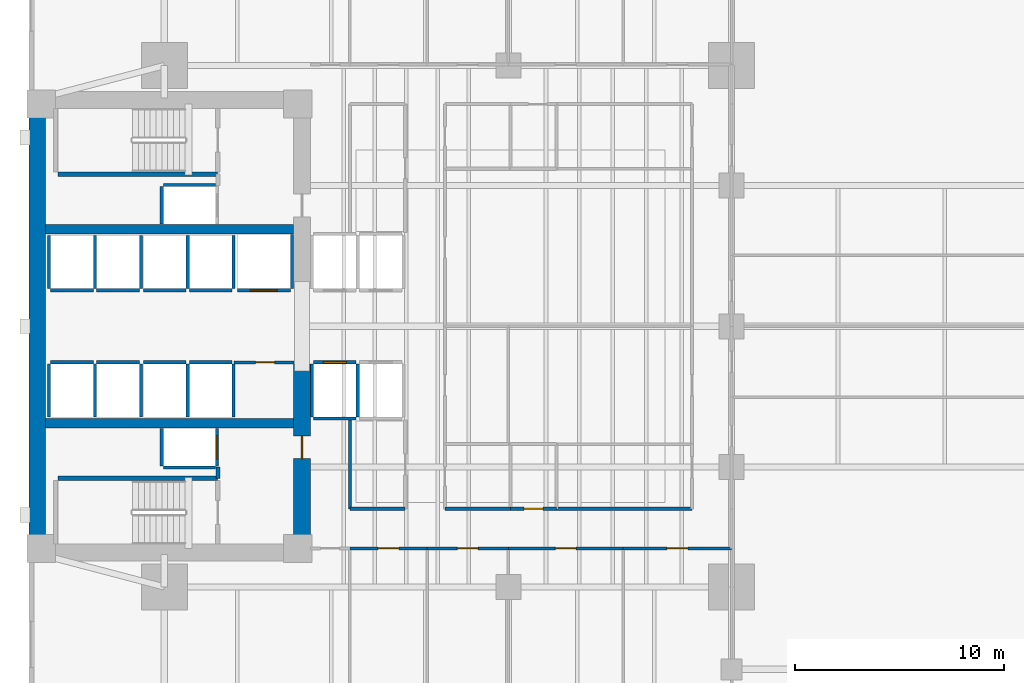
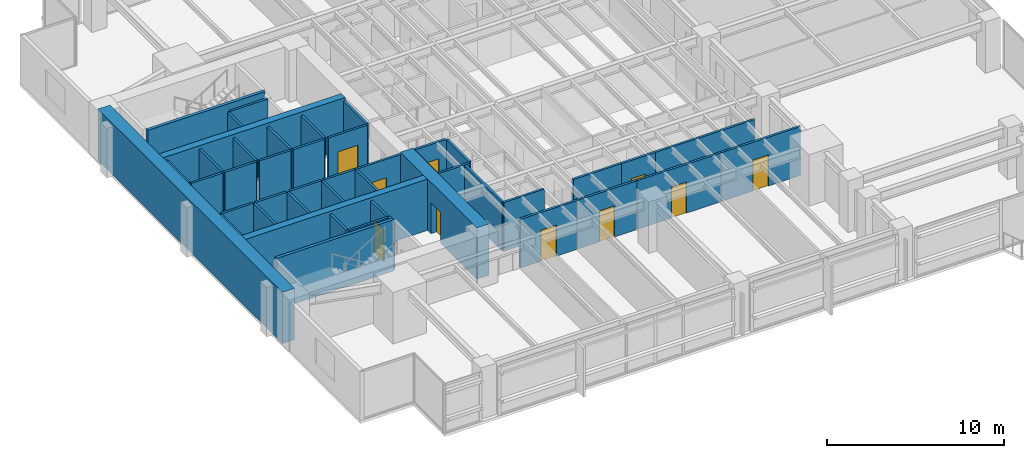
# One storey, part 8 of 15: 46 walls, 10 doors, 10 openings.
"""IFC4 building model written with IfcOpenShell, lengths in metres."""

from ifc_helpers import new_model, si_unit, direction, frame, frame_2d, origin, place, context, subcontext, project, spatial, rectangle, extrude, material, layer, layer_set, type_object, element, fill, save


model = new_model("IFC4")

# Units and contexts
model_context = context("Model", 3, precision=1e-05, world=origin(), true_north=direction((0.0, 1.0)))
body_context = subcontext(model_context, "Body", "Model", "MODEL_VIEW")
ifc_project = project(units=[si_unit("LENGTHUNIT", "METRE"), si_unit("AREAUNIT", "SQUARE_METRE"), si_unit("VOLUMEUNIT", "CUBIC_METRE"), si_unit("PLANEANGLEUNIT", "RADIAN"), si_unit("MASSUNIT", "GRAM", prefix="KILO")], contexts=[model_context])

# Site, building, storey
site_placement = place(None, origin())
site = spatial("IfcSite", under=ifc_project, at=site_placement, CompositionType="ELEMENT")
building_placement = place(site_placement, origin())
building = spatial("IfcBuilding", under=site, at=building_placement, Name="Kinhvarn Gate Tower", CompositionType="ELEMENT")
storey_placement = place(building_placement, frame((0.0, 0.0, 61.10009765625)))
storey = spatial("IfcBuildingStorey", under=building, at=storey_placement, Name="L15", CompositionType="ELEMENT", Elevation=61.10009765625)

# Walls
ifc_material_1 = material(Name="Concrete C50/60", Category="concrete")
ifc_layer_1 = layer(ifc_material_1, 0.449951171875)
ifc_layer_set_1 = layer_set([ifc_layer_1], Name="Concrete C50/60")
wall_type_1 = type_object("IfcWallType", Name="WL-CORE-450", PredefinedType="SHEAR", material=ifc_layer_set_1)
for number, where, z_axis, x_axis, name in (
    (1, (5.300048828125, 20.60009765625, 0.0), (0.0, 0.0, 1.0), (1.0, 0.0, 0.0), "Core South Spine Shear Wall L15 450 mm"),
    (2, (5.300048828125, 29.89990234375, 0.0), (0.0, 0.0, 1.0), (1.0, 0.0, 0.0), "Core North Spine Shear Wall L15 450 mm"),
):
    element("IfcWall", number, at=place(storey_placement, frame(where, z_axis=z_axis, x_axis=x_axis)), inside=storey, type_object=wall_type_1, Name=name, PredefinedType="SHEAR", context=body_context, shape_type="SweptSolid", body=[
        extrude(rectangle(XDim=11.89990234375, YDim=0.449951171875, at=frame_2d((5.949951171875, 0.0))), origin(), (0.0, 0.0, 1.0), 3.5498046875),
    ])

# Wall, opening, door
ifc_material_2 = material(Name="Concrete C70/85", Category="concrete")
ifc_layer_2 = layer(ifc_material_2, 0.800048828125)
ifc_layer_set_2 = layer_set([ifc_layer_2], Name="Concrete C70/85")
wall_type_2 = type_object("IfcWallType", Name="WL-CORE-800", PredefinedType="SHEAR", material=ifc_layer_set_2)
wall_1_placement = place(storey_placement, frame((17.60009765625, 14.800048828125, 0.0), z_axis=(0.0, 0.0, 1.0), x_axis=(0.0, 1.0, 0.0)))
wall_1 = element("IfcWall", 3, at=wall_1_placement, inside=storey, type_object=wall_type_2, Name="Core East-South Shear Pier L15 800 mm", PredefinedType="SHEAR", context=body_context, shape_type="SweptSolid", body=[
    extrude(rectangle(XDim=8.64990234375, YDim=0.800048828125, at=frame_2d((4.324951171875, 0.0))), origin(), (0.0, 0.0, 1.0), 3.5498046875),
])
opening_1_placement = place(wall_1_placement, frame((4.10009765625, 0.0, 0.0)))
opening_1 = element("IfcOpeningElement", 4, at=opening_1_placement, cuts=wall_1, Name="Opening FD-02", PredefinedType="OPENING", context=body_context, shape_type="SweptSolid", body=[
    extrude(rectangle(XDim=1.10009765625, YDim=2.14990234375, at=frame_2d((0.550048828125, 1.074951171875))), frame((0.0, 0.41015625, 0.0), z_axis=(0.0, -1.0, 0.0), x_axis=(1.0, 0.0, 0.0)), (0.0, 0.0, 1.0), 0.820068359375),
])
ifc_material_3 = material(Name="Anodised aluminium AW-6063", Category="aluminium")
door_type_1 = type_object("IfcDoorType", Name="DR-FD-1100", OperationType="NOTDEFINED", PredefinedType="DOOR", material=ifc_material_3)
door_1_placement = place(opening_1_placement, origin())
door_1 = element("IfcDoor", 5, at=door_1_placement, inside=storey, type_object=door_type_1, Name="Firefighting Lobby Core Door (L15)", OperationType="SINGLE_SWING_RIGHT", OverallHeight=2.14990234375, OverallWidth=1.10009765625, PredefinedType="DOOR", context=body_context, shape_type="SweptSolid", body=[
    extrude(rectangle(XDim=1.10009765625, YDim=2.14990234375, at=frame_2d((0.550048828125, 1.074951171875))), frame((0.0, 0.02490234375, 0.0), z_axis=(0.0, -1.0, 0.0), x_axis=(1.0, 0.0, 0.0)), (0.0, 0.0, 1.0), 0.050048828125),
])
fill(opening_1, door_1)

# Walls
ifc_layer_3 = layer(ifc_material_2, 0.800048828125)
ifc_layer_set_3 = layer_set([ifc_layer_3], Name="Concrete C70/85")
wall_type_3 = type_object("IfcWallType", Name="WL-COREX-800", PredefinedType="SHEAR", material=ifc_layer_set_3)
wall_2_placement = place(storey_placement, frame((4.89990234375, 14.800048828125, 0.0), z_axis=(0.0, 0.0, 1.0), x_axis=(0.0, 1.0, 0.0)))
element("IfcWall", 6, at=wall_2_placement, inside=storey, type_object=wall_type_3, Name="Core West Shear Wall L15 800 mm", PredefinedType="SHEAR", context=body_context, shape_type="SweptSolid", body=[
    extrude(rectangle(XDim=20.89990234375, YDim=0.800048828125, at=frame_2d((10.449951171875, 0.0))), origin(), (0.0, 0.0, 1.0), 3.5498046875),
])
ifc_material_4 = material(Name="Gypsum acoustic partition board")
ifc_layer_4 = layer(ifc_material_4, 0.14990234375)
ifc_layer_set_4 = layer_set([ifc_layer_4], Name="Gypsum acoustic partition board")
wall_type_4 = type_object("IfcWallType", Name="WL-PLM-150F", PredefinedType="PLUMBINGWALL", material=ifc_layer_set_4)
wall_3_placement = place(storey_placement, frame((24.449951171875, 16.5, 0.0), z_axis=(0.0, 0.0, 1.0), x_axis=(1.0, 0.0, 0.0)))
element("IfcWall", 7, at=wall_3_placement, inside=storey, type_object=wall_type_4, Name="Interior Partition PLW-150F (L15)", PredefinedType="PLUMBINGWALL", context=body_context, shape_type="SweptSolid", body=[
    extrude(rectangle(XDim=3.150146484375, YDim=0.14990234375, at=frame_2d((1.5751953125, 0.0))), origin(), (0.0, 0.0, 1.0), 3.369873046875),
])

# Wall, opening, door
wall_4_placement = place(storey_placement, frame((27.60009765625, 16.5, 0.0), z_axis=(0.0, 0.0, 1.0), x_axis=(1.0, 0.0, 0.0)))
wall_4 = element("IfcWall", 8, at=wall_4_placement, inside=storey, type_object=wall_type_4, Name="Interior Partition PLW-150F (L15)", PredefinedType="PLUMBINGWALL", context=body_context, shape_type="SweptSolid", body=[
    extrude(rectangle(XDim=2.199951171875, YDim=0.14990234375, at=frame_2d((1.10009765625, 0.0))), origin(), (0.0, 0.0, 1.0), 3.369873046875),
])
opening_2_placement = place(wall_4_placement, frame((0.64990234375, 0.0, 0.0)))
opening_2 = element("IfcOpeningElement", 9, at=opening_2_placement, cuts=wall_4, Name="Opening FD-04", PredefinedType="OPENING", context=body_context, shape_type="SweptSolid", body=[
    extrude(rectangle(XDim=0.89990234375, YDim=2.10009765625, at=frame_2d((0.449951171875, 1.050048828125))), frame((0.0, 0.0849609375, 0.0), z_axis=(0.0, -1.0, 0.0), x_axis=(1.0, 0.0, 0.0)), (0.0, 0.0, 1.0), 0.169921875),
])
door_type_2 = type_object("IfcDoorType", Name="DR-FD-900", OperationType="NOTDEFINED", PredefinedType="DOOR", material=ifc_material_3)
door_2_placement = place(opening_2_placement, origin())
door_2 = element("IfcDoor", 10, at=door_2_placement, inside=storey, type_object=door_type_2, Name="Rated Riser & Service Closet Fire Door 900x2100 mm (L15)", OperationType="SINGLE_SWING_LEFT", OverallHeight=2.10009765625, OverallWidth=0.89990234375, PredefinedType="DOOR", context=body_context, shape_type="SweptSolid", body=[
    extrude(rectangle(XDim=0.89990234375, YDim=2.10009765625, at=frame_2d((0.449951171875, 1.050048828125))), frame((0.0, 0.02490234375, 0.0), z_axis=(0.0, -1.0, 0.0), x_axis=(1.0, 0.0, 0.0)), (0.0, 0.0, 1.0), 0.050048828125),
])
fill(opening_2, door_2)

ifc_layer_5 = layer(ifc_material_4, 0.14990234375)
ifc_layer_set_5 = layer_set([ifc_layer_5], Name="Gypsum acoustic partition board")
wall_type_5 = type_object("IfcWallType", Name="WL-PRT-150F", PredefinedType="PARTITIONING", material=ifc_layer_set_5)
wall_5_placement = place(storey_placement, frame((14.330078125, 23.52001953125, 0.0), z_axis=(0.0, 0.0, 1.0), x_axis=(1.0, 0.0, 0.0)))
wall_5 = element("IfcWall", 11, at=wall_5_placement, inside=storey, type_object=wall_type_5, Name="Interior Partition PW-150F (L15)", PredefinedType="PARTITIONING", context=body_context, shape_type="SweptSolid", body=[
    extrude(rectangle(XDim=2.889892578125, YDim=0.14990234375, at=frame_2d((1.44482421875, 0.0))), origin(), (0.0, 0.0, 1.0), 3.369873046875),
])
opening_3_placement = place(wall_5_placement, frame((1.052734375, 0.0, 0.0)))
opening_3 = element("IfcOpeningElement", 12, at=opening_3_placement, cuts=wall_5, Name="Opening FD-04", PredefinedType="OPENING", context=body_context, shape_type="SweptSolid", body=[
    extrude(rectangle(XDim=0.89990234375, YDim=2.10009765625, at=frame_2d((0.449951171875, 1.050048828125))), frame((0.0, 0.0849609375, 0.0), z_axis=(0.0, -1.0, 0.0), x_axis=(1.0, 0.0, 0.0)), (0.0, 0.0, 1.0), 0.169921875),
])
door_3_placement = place(opening_3_placement, origin())
door_3 = element("IfcDoor", 13, at=door_3_placement, inside=storey, type_object=door_type_2, Name="Rated Riser & Service Closet Fire Door 900x2100 mm (L15)", OperationType="SINGLE_SWING_RIGHT", OverallHeight=2.10009765625, OverallWidth=0.89990234375, PredefinedType="DOOR", context=body_context, shape_type="SweptSolid", body=[
    extrude(rectangle(XDim=0.89990234375, YDim=2.10009765625, at=frame_2d((0.449951171875, 1.050048828125))), frame((0.0, 0.02490234375, 0.0), z_axis=(0.0, -1.0, 0.0), x_axis=(1.0, 0.0, 0.0)), (0.0, 0.0, 1.0), 0.050048828125),
])
fill(opening_3, door_3)

# Walls
wall_6_placement = place(storey_placement, frame((19.89990234375, 16.5, 0.0), z_axis=(0.0, 0.0, 1.0), x_axis=(0.0, 1.0, 0.0)))
element("IfcWall", 14, at=wall_6_placement, inside=storey, type_object=wall_type_5, Name="Interior Partition PW-150F (L15)", PredefinedType="PARTITIONING", context=body_context, shape_type="SweptSolid", body=[
    extrude(rectangle(XDim=4.25, YDim=0.14990234375, at=frame_2d((2.125, 0.0))), origin(), (0.0, 0.0, 1.0), 3.369873046875),
])
wall_7_placement = place(storey_placement, frame((19.89990234375, 16.5, 0.0), z_axis=(0.0, 0.0, 1.0), x_axis=(1.0, 0.0, 0.0)))
element("IfcWall", 15, at=wall_7_placement, inside=storey, type_object=wall_type_5, Name="Interior Partition PW-150F (L15)", PredefinedType="PARTITIONING", context=body_context, shape_type="SweptSolid", body=[
    extrude(rectangle(XDim=2.650146484375, YDim=0.14990234375, at=frame_2d((1.3251953125, 0.0))), origin(), (0.0, 0.0, 1.0), 3.369873046875),
])
wall_8_placement = place(storey_placement, frame((29.800048828125, 16.5, 0.0), z_axis=(0.0, 0.0, 1.0), x_axis=(1.0, 0.0, 0.0)))
element("IfcWall", 16, at=wall_8_placement, inside=storey, type_object=wall_type_5, Name="Interior Partition PW-150F (L15)", PredefinedType="PARTITIONING", context=body_context, shape_type="SweptSolid", body=[
    extrude(rectangle(XDim=6.5, YDim=0.14990234375, at=frame_2d((3.25, 0.0))), origin(), (0.0, 0.0, 1.0), 3.369873046875),
])

# Wall, opening, door
wall_9_placement = place(storey_placement, frame((19.89990234375, 14.60009765625, 0.0), z_axis=(0.0, 0.0, 1.0), x_axis=(1.0, 0.0, 0.0)))
wall_9 = element("IfcWall", 17, at=wall_9_placement, inside=storey, type_object=wall_type_5, Name="Interior Partition PW-150F (L15)", PredefinedType="PARTITIONING", context=body_context, shape_type="SweptSolid", body=[
    extrude(rectangle(XDim=3.7001953125, YDim=0.14990234375, at=frame_2d((1.85009765625, 0.0))), origin(), (0.0, 0.0, 1.0), 3.369873046875),
])
opening_4_placement = place(wall_9_placement, frame((1.35009765625, 0.0, 0.0)))
opening_4 = element("IfcOpeningElement", 18, at=opening_4_placement, cuts=wall_9, Name="Opening ID-02", PredefinedType="OPENING", context=body_context, shape_type="SweptSolid", body=[
    extrude(rectangle(XDim=1.0, YDim=2.14990234375, at=frame_2d((0.5, 1.074951171875))), frame((0.0, 0.0849609375, 0.0), z_axis=(0.0, -1.0, 0.0), x_axis=(1.0, 0.0, 0.0)), (0.0, 0.0, 1.0), 0.169921875),
])
door_type_3 = type_object("IfcDoorType", Name="DR-INT-1000", OperationType="NOTDEFINED", PredefinedType="DOOR", material=ifc_material_3)
door_4_placement = place(opening_4_placement, origin())
door_4 = element("IfcDoor", 19, at=door_4_placement, inside=storey, type_object=door_type_3, Name="Standard Office & Meeting Room Door 1000x2150 mm (L15)", OperationType="SINGLE_SWING_LEFT", OverallHeight=2.14990234375, OverallWidth=1.0, PredefinedType="DOOR", context=body_context, shape_type="SweptSolid", body=[
    extrude(rectangle(XDim=1.0, YDim=2.14990234375, at=frame_2d((0.5, 1.074951171875))), frame((0.0, 0.02490234375, 0.0), z_axis=(0.0, -1.0, 0.0), x_axis=(1.0, 0.0, 0.0)), (0.0, 0.0, 1.0), 0.050048828125),
])
fill(opening_4, door_4)

wall_10_placement = place(storey_placement, frame((23.60009765625, 14.60009765625, 0.0), z_axis=(0.0, 0.0, 1.0), x_axis=(1.0, 0.0, 0.0)))
wall_10 = element("IfcWall", 20, at=wall_10_placement, inside=storey, type_object=wall_type_5, Name="Interior Partition PW-150F (L15)", PredefinedType="PARTITIONING", context=body_context, shape_type="SweptSolid", body=[
    extrude(rectangle(XDim=3.89990234375, YDim=0.14990234375, at=frame_2d((1.949951171875, 0.0))), origin(), (0.0, 0.0, 1.0), 3.369873046875),
])
opening_5_placement = place(wall_10_placement, frame((1.449951171875, 0.0, 0.0)))
opening_5 = element("IfcOpeningElement", 21, at=opening_5_placement, cuts=wall_10, Name="Opening ID-02", PredefinedType="OPENING", context=body_context, shape_type="SweptSolid", body=[
    extrude(rectangle(XDim=1.0, YDim=2.14990234375, at=frame_2d((0.5, 1.074951171875))), frame((0.0, 0.0849609375, 0.0), z_axis=(0.0, -1.0, 0.0), x_axis=(1.0, 0.0, 0.0)), (0.0, 0.0, 1.0), 0.169921875),
])
door_5_placement = place(opening_5_placement, origin())
door_5 = element("IfcDoor", 22, at=door_5_placement, inside=storey, type_object=door_type_3, Name="Standard Office & Meeting Room Door 1000x2150 mm (L15)", OperationType="SINGLE_SWING_RIGHT", OverallHeight=2.14990234375, OverallWidth=1.0, PredefinedType="DOOR", context=body_context, shape_type="SweptSolid", body=[
    extrude(rectangle(XDim=1.0, YDim=2.14990234375, at=frame_2d((0.5, 1.074951171875))), frame((0.0, 0.02490234375, 0.0), z_axis=(0.0, -1.0, 0.0), x_axis=(1.0, 0.0, 0.0)), (0.0, 0.0, 1.0), 0.050048828125),
])
fill(opening_5, door_5)

wall_11_placement = place(storey_placement, frame((27.5, 14.60009765625, 0.0), z_axis=(0.0, 0.0, 1.0), x_axis=(1.0, 0.0, 0.0)))
wall_11 = element("IfcWall", 23, at=wall_11_placement, inside=storey, type_object=wall_type_5, Name="Interior Partition PW-150F (L15)", PredefinedType="PARTITIONING", context=body_context, shape_type="SweptSolid", body=[
    extrude(rectangle(XDim=5.5, YDim=0.14990234375, at=frame_2d((2.75, 0.0))), origin(), (0.0, 0.0, 1.0), 3.369873046875),
])
opening_6_placement = place(wall_11_placement, frame((2.25, 0.0, 0.0)))
opening_6 = element("IfcOpeningElement", 24, at=opening_6_placement, cuts=wall_11, Name="Opening ID-02", PredefinedType="OPENING", context=body_context, shape_type="SweptSolid", body=[
    extrude(rectangle(XDim=1.0, YDim=2.14990234375, at=frame_2d((0.5, 1.074951171875))), frame((0.0, 0.0849609375, 0.0), z_axis=(0.0, -1.0, 0.0), x_axis=(1.0, 0.0, 0.0)), (0.0, 0.0, 1.0), 0.169921875),
])
door_6_placement = place(opening_6_placement, origin())
door_6 = element("IfcDoor", 25, at=door_6_placement, inside=storey, type_object=door_type_3, Name="Standard Office & Meeting Room Door 1000x2150 mm (L15)", OperationType="SINGLE_SWING_LEFT", OverallHeight=2.14990234375, OverallWidth=1.0, PredefinedType="DOOR", context=body_context, shape_type="SweptSolid", body=[
    extrude(rectangle(XDim=1.0, YDim=2.14990234375, at=frame_2d((0.5, 1.074951171875))), frame((0.0, 0.02490234375, 0.0), z_axis=(0.0, -1.0, 0.0), x_axis=(1.0, 0.0, 0.0)), (0.0, 0.0, 1.0), 0.050048828125),
])
fill(opening_6, door_6)

wall_12_placement = place(storey_placement, frame((33.0, 14.60009765625, 0.0), z_axis=(0.0, 0.0, 1.0), x_axis=(1.0, 0.0, 0.0)))
wall_12 = element("IfcWall", 26, at=wall_12_placement, inside=storey, type_object=wall_type_5, Name="Interior Partition PW-150F (L15)", PredefinedType="PARTITIONING", context=body_context, shape_type="SweptSolid", body=[
    extrude(rectangle(XDim=5.199951171875, YDim=0.14990234375, at=frame_2d((2.60009765625, 0.0))), origin(), (0.0, 0.0, 1.0), 3.369873046875),
])
opening_7_placement = place(wall_12_placement, frame((2.10009765625, 0.0, 0.0)))
opening_7 = element("IfcOpeningElement", 27, at=opening_7_placement, cuts=wall_12, Name="Opening ID-02", PredefinedType="OPENING", context=body_context, shape_type="SweptSolid", body=[
    extrude(rectangle(XDim=1.0, YDim=2.14990234375, at=frame_2d((0.5, 1.074951171875))), frame((0.0, 0.0849609375, 0.0), z_axis=(0.0, -1.0, 0.0), x_axis=(1.0, 0.0, 0.0)), (0.0, 0.0, 1.0), 0.169921875),
])
door_7_placement = place(opening_7_placement, origin())
door_7 = element("IfcDoor", 28, at=door_7_placement, inside=storey, type_object=door_type_3, Name="Standard Office & Meeting Room Door 1000x2150 mm (L15)", OperationType="SINGLE_SWING_RIGHT", OverallHeight=2.14990234375, OverallWidth=1.0, PredefinedType="DOOR", context=body_context, shape_type="SweptSolid", body=[
    extrude(rectangle(XDim=1.0, YDim=2.14990234375, at=frame_2d((0.5, 1.074951171875))), frame((0.0, 0.02490234375, 0.0), z_axis=(0.0, -1.0, 0.0), x_axis=(1.0, 0.0, 0.0)), (0.0, 0.0, 1.0), 0.050048828125),
])
fill(opening_7, door_7)

# Walls
ifc_layer_6 = layer(ifc_material_4, 0.199951171875)
ifc_layer_set_6 = layer_set([ifc_layer_6], Name="Gypsum acoustic partition board")
wall_type_6 = type_object("IfcWallType", Name="WL-PRT-200", PredefinedType="PARTITIONING", material=ifc_layer_set_6)
wall_13_placement = place(storey_placement, frame((13.580078125, 17.9599609375, 0.0), z_axis=(0.0, 0.0, 1.0), x_axis=(0.0, 1.0, 0.0)))
element("IfcWall", 29, at=wall_13_placement, inside=storey, type_object=wall_type_6, Name="Interior Partition PW-200 (L15)", PredefinedType="PARTITIONING", context=body_context, shape_type="SweptSolid", body=[
    extrude(rectangle(XDim=0.5400390625, YDim=0.199951171875, at=frame_2d((0.27001953125, 0.0))), origin(), (0.0, 0.0, 1.0), 3.369873046875),
])
ifc_layer_7 = layer(ifc_material_4, 0.14990234375)
ifc_layer_set_7 = layer_set([ifc_layer_7], Name="Gypsum acoustic partition board")
wall_type_7 = type_object("IfcWallType", Name="WL-SHF-150", PredefinedType="PARTITIONING", material=ifc_layer_set_7)
wall_14_placement = place(storey_placement, frame((18.14990234375, 20.824951171875, 0.0), z_axis=(0.0, 0.0, 1.0), x_axis=(1.0, 0.0, 0.0)))
element("IfcWall", 30, at=wall_14_placement, inside=storey, type_object=wall_type_7, Name="Elevator PL-01 Hoistway Wall S (L15)", PredefinedType="PARTITIONING", context=body_context, shape_type="SweptSolid", body=[
    extrude(rectangle(XDim=2.050048828125, YDim=0.14990234375, at=frame_2d((1.02490234375, 0.0))), origin(), (0.0, 0.0, 1.0), 3.369873046875),
])

# Wall, opening, door
wall_15_placement = place(storey_placement, frame((18.14990234375, 23.52490234375, 0.0), z_axis=(0.0, 0.0, 1.0), x_axis=(1.0, 0.0, 0.0)))
wall_15 = element("IfcWall", 31, at=wall_15_placement, inside=storey, type_object=wall_type_7, Name="Elevator PL-01 Landing Wall (L15)", PredefinedType="PARTITIONING", context=body_context, shape_type="SweptSolid", body=[
    extrude(rectangle(XDim=2.050048828125, YDim=0.14990234375, at=frame_2d((1.02490234375, 0.0))), origin(), (0.0, 0.0, 1.0), 3.369873046875),
])
opening_8_placement = place(wall_15_placement, frame((0.47509765625, 0.0, 0.0)))
opening_8 = element("IfcOpeningElement", 32, at=opening_8_placement, cuts=wall_15, Name="Opening LD-01", PredefinedType="OPENING", context=body_context, shape_type="SweptSolid", body=[
    extrude(rectangle(XDim=1.10009765625, YDim=2.199951171875, at=frame_2d((0.550048828125, 1.10009765625))), frame((0.0, 0.0849609375, 0.0), z_axis=(0.0, -1.0, 0.0), x_axis=(1.0, 0.0, 0.0)), (0.0, 0.0, 1.0), 0.169921875),
])
door_type_4 = type_object("IfcDoorType", Name="DR-LND-PAS", OperationType="NOTDEFINED", PredefinedType="DOOR", material=ifc_material_3)
door_8_placement = place(opening_8_placement, origin())
door_8 = element("IfcDoor", 33, at=door_8_placement, inside=storey, type_object=door_type_4, Name="Elevator PL-01 Sliding Landing Door (L15)", OperationType="DOUBLE_DOOR_SLIDING", OverallHeight=2.199951171875, OverallWidth=1.10009765625, PredefinedType="DOOR", context=body_context, shape_type="SweptSolid", body=[
    extrude(rectangle(XDim=1.10009765625, YDim=2.199951171875, at=frame_2d((0.550048828125, 1.10009765625))), frame((0.0, 0.02490234375, 0.0), z_axis=(0.0, -1.0, 0.0), x_axis=(1.0, 0.0, 0.0)), (0.0, 0.0, 1.0), 0.050048828125),
])
fill(opening_8, door_8)

# Walls
for number, where, z_axis, x_axis, name in (
    (34, (18.074951171875, 20.89990234375, 0.0), (0.0, 0.0, 1.0), (0.0, 1.0, 0.0), "Elevator PL-01 Hoistway Wall W (L15)"),
    (35, (20.27490234375, 20.89990234375, 0.0), (0.0, 0.0, 1.0), (0.0, 1.0, 0.0), "Elevator PL-01 Hoistway Wall E (L15)"),
):
    element("IfcWall", number, at=place(storey_placement, frame(where, z_axis=z_axis, x_axis=x_axis)), inside=storey, type_object=wall_type_7, Name=name, PredefinedType="PARTITIONING", context=body_context, shape_type="SweptSolid", body=[
        extrude(rectangle(XDim=2.550048828125, YDim=0.14990234375, at=frame_2d((1.27490234375, 0.0))), origin(), (0.0, 0.0, 1.0), 3.369873046875),
    ])
wall_16_placement = place(storey_placement, frame((5.550048828125, 23.52490234375, 0.0), z_axis=(0.0, 0.0, 1.0), x_axis=(1.0, 0.0, 0.0)))
element("IfcWall", 36, at=wall_16_placement, inside=storey, type_object=wall_type_7, Name="Elevator PM-05 Landing Wall (L15)", PredefinedType="PARTITIONING", context=body_context, shape_type="SweptSolid", body=[
    extrude(rectangle(XDim=2.050048828125, YDim=0.14990234375, at=frame_2d((1.02490234375, 0.0))), origin(), (0.0, 0.0, 1.0), 3.369873046875),
])
for number, where, z_axis, x_axis, name in (
    (37, (5.47509765625, 20.89990234375, 0.0), (0.0, 0.0, 1.0), (0.0, 1.0, 0.0), "Elevator PM-05 Hoistway Wall W (L15)"),
    (38, (7.675048828125, 20.89990234375, 0.0), (0.0, 0.0, 1.0), (0.0, 1.0, 0.0), "Elevator PM-05 Hoistway Wall E (L15)"),
):
    element("IfcWall", number, at=place(storey_placement, frame(where, z_axis=z_axis, x_axis=x_axis)), inside=storey, type_object=wall_type_7, Name=name, PredefinedType="PARTITIONING", context=body_context, shape_type="SweptSolid", body=[
        extrude(rectangle(XDim=2.550048828125, YDim=0.14990234375, at=frame_2d((1.27490234375, 0.0))), origin(), (0.0, 0.0, 1.0), 3.369873046875),
    ])
wall_17_placement = place(storey_placement, frame((7.75, 23.52490234375, 0.0), z_axis=(0.0, 0.0, 1.0), x_axis=(1.0, 0.0, 0.0)))
element("IfcWall", 39, at=wall_17_placement, inside=storey, type_object=wall_type_7, Name="Elevator PM-06 Landing Wall (L15)", PredefinedType="PARTITIONING", context=body_context, shape_type="SweptSolid", body=[
    extrude(rectangle(XDim=2.050048828125, YDim=0.14990234375, at=frame_2d((1.02490234375, 0.0))), origin(), (0.0, 0.0, 1.0), 3.369873046875),
])
wall_18_placement = place(storey_placement, frame((9.875, 20.89990234375, 0.0), z_axis=(0.0, 0.0, 1.0), x_axis=(0.0, 1.0, 0.0)))
element("IfcWall", 40, at=wall_18_placement, inside=storey, type_object=wall_type_7, Name="Elevator PM-06 Hoistway Wall E (L15)", PredefinedType="PARTITIONING", context=body_context, shape_type="SweptSolid", body=[
    extrude(rectangle(XDim=2.550048828125, YDim=0.14990234375, at=frame_2d((1.27490234375, 0.0))), origin(), (0.0, 0.0, 1.0), 3.369873046875),
])
wall_19_placement = place(storey_placement, frame((5.550048828125, 26.97509765625, 0.0), z_axis=(0.0, 0.0, 1.0), x_axis=(1.0, 0.0, 0.0)))
element("IfcWall", 41, at=wall_19_placement, inside=storey, type_object=wall_type_7, Name="Elevator PM-07 Landing Wall (L15)", PredefinedType="PARTITIONING", context=body_context, shape_type="SweptSolid", body=[
    extrude(rectangle(XDim=2.050048828125, YDim=0.14990234375, at=frame_2d((1.02490234375, 0.0))), origin(), (0.0, 0.0, 1.0), 3.369873046875),
])
for number, where, z_axis, x_axis, name in (
    (42, (5.47509765625, 27.050048828125, 0.0), (0.0, 0.0, 1.0), (0.0, 1.0, 0.0), "Elevator PM-07 Hoistway Wall W (L15)"),
    (43, (7.675048828125, 27.050048828125, 0.0), (0.0, 0.0, 1.0), (0.0, 1.0, 0.0), "Elevator PM-07 Hoistway Wall E (L15)"),
):
    element("IfcWall", number, at=place(storey_placement, frame(where, z_axis=z_axis, x_axis=x_axis)), inside=storey, type_object=wall_type_7, Name=name, PredefinedType="PARTITIONING", context=body_context, shape_type="SweptSolid", body=[
        extrude(rectangle(XDim=2.550048828125, YDim=0.14990234375, at=frame_2d((1.27490234375, 0.0))), origin(), (0.0, 0.0, 1.0), 3.369873046875),
    ])
wall_20_placement = place(storey_placement, frame((7.75, 26.97509765625, 0.0), z_axis=(0.0, 0.0, 1.0), x_axis=(1.0, 0.0, 0.0)))
element("IfcWall", 44, at=wall_20_placement, inside=storey, type_object=wall_type_7, Name="Elevator PM-08 Landing Wall (L15)", PredefinedType="PARTITIONING", context=body_context, shape_type="SweptSolid", body=[
    extrude(rectangle(XDim=2.050048828125, YDim=0.14990234375, at=frame_2d((1.02490234375, 0.0))), origin(), (0.0, 0.0, 1.0), 3.369873046875),
])
wall_21_placement = place(storey_placement, frame((9.875, 27.050048828125, 0.0), z_axis=(0.0, 0.0, 1.0), x_axis=(0.0, 1.0, 0.0)))
element("IfcWall", 45, at=wall_21_placement, inside=storey, type_object=wall_type_7, Name="Elevator PM-08 Hoistway Wall E (L15)", PredefinedType="PARTITIONING", context=body_context, shape_type="SweptSolid", body=[
    extrude(rectangle(XDim=2.550048828125, YDim=0.14990234375, at=frame_2d((1.27490234375, 0.0))), origin(), (0.0, 0.0, 1.0), 3.369873046875),
])
wall_22_placement = place(storey_placement, frame((10.0, 23.52490234375, 0.0), z_axis=(0.0, 0.0, 1.0), x_axis=(1.0, 0.0, 0.0)))
element("IfcWall", 46, at=wall_22_placement, inside=storey, type_object=wall_type_7, Name="Elevator PH-09 Landing Wall (L15)", PredefinedType="PARTITIONING", context=body_context, shape_type="SweptSolid", body=[
    extrude(rectangle(XDim=2.050048828125, YDim=0.14990234375, at=frame_2d((1.02490234375, 0.0))), origin(), (0.0, 0.0, 1.0), 3.369873046875),
])
wall_23_placement = place(storey_placement, frame((12.125, 20.89990234375, 0.0), z_axis=(0.0, 0.0, 1.0), x_axis=(0.0, 1.0, 0.0)))
element("IfcWall", 47, at=wall_23_placement, inside=storey, type_object=wall_type_7, Name="Elevator PH-09 Hoistway Wall E (L15)", PredefinedType="PARTITIONING", context=body_context, shape_type="SweptSolid", body=[
    extrude(rectangle(XDim=2.550048828125, YDim=0.14990234375, at=frame_2d((1.27490234375, 0.0))), origin(), (0.0, 0.0, 1.0), 3.369873046875),
])
wall_24_placement = place(storey_placement, frame((12.199951171875, 23.52490234375, 0.0), z_axis=(0.0, 0.0, 1.0), x_axis=(1.0, 0.0, 0.0)))
element("IfcWall", 48, at=wall_24_placement, inside=storey, type_object=wall_type_7, Name="Elevator PH-10 Landing Wall (L15)", PredefinedType="PARTITIONING", context=body_context, shape_type="SweptSolid", body=[
    extrude(rectangle(XDim=2.050048828125, YDim=0.14990234375, at=frame_2d((1.02490234375, 0.0))), origin(), (0.0, 0.0, 1.0), 3.369873046875),
])
wall_25_placement = place(storey_placement, frame((14.324951171875, 20.89990234375, 0.0), z_axis=(0.0, 0.0, 1.0), x_axis=(0.0, 1.0, 0.0)))
element("IfcWall", 49, at=wall_25_placement, inside=storey, type_object=wall_type_7, Name="Elevator PH-10 Hoistway Wall E (L15)", PredefinedType="PARTITIONING", context=body_context, shape_type="SweptSolid", body=[
    extrude(rectangle(XDim=2.550048828125, YDim=0.14990234375, at=frame_2d((1.27490234375, 0.0))), origin(), (0.0, 0.0, 1.0), 3.369873046875),
])
wall_26_placement = place(storey_placement, frame((10.0, 26.97509765625, 0.0), z_axis=(0.0, 0.0, 1.0), x_axis=(1.0, 0.0, 0.0)))
element("IfcWall", 50, at=wall_26_placement, inside=storey, type_object=wall_type_7, Name="Elevator PH-11 Landing Wall (L15)", PredefinedType="PARTITIONING", context=body_context, shape_type="SweptSolid", body=[
    extrude(rectangle(XDim=2.050048828125, YDim=0.14990234375, at=frame_2d((1.02490234375, 0.0))), origin(), (0.0, 0.0, 1.0), 3.369873046875),
])
wall_27_placement = place(storey_placement, frame((12.125, 27.050048828125, 0.0), z_axis=(0.0, 0.0, 1.0), x_axis=(0.0, 1.0, 0.0)))
element("IfcWall", 51, at=wall_27_placement, inside=storey, type_object=wall_type_7, Name="Elevator PH-11 Hoistway Wall E (L15)", PredefinedType="PARTITIONING", context=body_context, shape_type="SweptSolid", body=[
    extrude(rectangle(XDim=2.550048828125, YDim=0.14990234375, at=frame_2d((1.27490234375, 0.0))), origin(), (0.0, 0.0, 1.0), 3.369873046875),
])
wall_28_placement = place(storey_placement, frame((12.199951171875, 26.97509765625, 0.0), z_axis=(0.0, 0.0, 1.0), x_axis=(1.0, 0.0, 0.0)))
element("IfcWall", 52, at=wall_28_placement, inside=storey, type_object=wall_type_7, Name="Elevator PH-12 Landing Wall (L15)", PredefinedType="PARTITIONING", context=body_context, shape_type="SweptSolid", body=[
    extrude(rectangle(XDim=2.050048828125, YDim=0.14990234375, at=frame_2d((1.02490234375, 0.0))), origin(), (0.0, 0.0, 1.0), 3.369873046875),
])
wall_29_placement = place(storey_placement, frame((14.324951171875, 27.050048828125, 0.0), z_axis=(0.0, 0.0, 1.0), x_axis=(0.0, 1.0, 0.0)))
element("IfcWall", 53, at=wall_29_placement, inside=storey, type_object=wall_type_7, Name="Elevator PH-12 Hoistway Wall E (L15)", PredefinedType="PARTITIONING", context=body_context, shape_type="SweptSolid", body=[
    extrude(rectangle(XDim=2.550048828125, YDim=0.14990234375, at=frame_2d((1.27490234375, 0.0))), origin(), (0.0, 0.0, 1.0), 3.369873046875),
])

# Wall, opening, door
wall_30_placement = place(storey_placement, frame((14.5, 26.97509765625, 0.0), z_axis=(0.0, 0.0, 1.0), x_axis=(1.0, 0.0, 0.0)))
wall_30 = element("IfcWall", 54, at=wall_30_placement, inside=storey, type_object=wall_type_7, Name="Elevator SV-01 Landing Wall (L15)", PredefinedType="PARTITIONING", context=body_context, shape_type="SweptSolid", body=[
    extrude(rectangle(XDim=2.550048828125, YDim=0.14990234375, at=frame_2d((1.27490234375, 0.0))), origin(), (0.0, 0.0, 1.0), 3.369873046875),
])
opening_9_placement = place(wall_30_placement, frame((0.625, 0.0, 0.0)))
opening_9 = element("IfcOpeningElement", 55, at=opening_9_placement, cuts=wall_30, Name="Opening LD-02", PredefinedType="OPENING", context=body_context, shape_type="SweptSolid", body=[
    extrude(rectangle(XDim=1.300048828125, YDim=2.199951171875, at=frame_2d((0.64990234375, 1.10009765625))), frame((0.0, 0.0849609375, 0.0), z_axis=(0.0, -1.0, 0.0), x_axis=(1.0, 0.0, 0.0)), (0.0, 0.0, 1.0), 0.169921875),
])
door_type_5 = type_object("IfcDoorType", Name="DR-LND-SRV", OperationType="NOTDEFINED", PredefinedType="DOOR", material=ifc_material_3)
door_9_placement = place(opening_9_placement, origin())
door_9 = element("IfcDoor", 56, at=door_9_placement, inside=storey, type_object=door_type_5, Name="Elevator SV-01 Sliding Landing Door (L15)", OperationType="DOUBLE_DOOR_SLIDING", OverallHeight=2.199951171875, OverallWidth=1.300048828125, PredefinedType="DOOR", context=body_context, shape_type="SweptSolid", body=[
    extrude(rectangle(XDim=1.300048828125, YDim=2.199951171875, at=frame_2d((0.64990234375, 1.10009765625))), frame((0.0, 0.02490234375, 0.0), z_axis=(0.0, -1.0, 0.0), x_axis=(1.0, 0.0, 0.0)), (0.0, 0.0, 1.0), 0.050048828125),
])
fill(opening_9, door_9)

# Walls
wall_31_placement = place(storey_placement, frame((17.125, 27.050048828125, 0.0), z_axis=(0.0, 0.0, 1.0), x_axis=(0.0, 1.0, 0.0)))
element("IfcWall", 57, at=wall_31_placement, inside=storey, type_object=wall_type_7, Name="Elevator SV-01 Hoistway Wall E (L15)", PredefinedType="PARTITIONING", context=body_context, shape_type="SweptSolid", body=[
    extrude(rectangle(XDim=2.599853515625, YDim=0.14990234375, at=frame_2d((1.2998046875, 0.0))), origin(), (0.0, 0.0, 1.0), 3.369873046875),
])
wall_32_placement = place(storey_placement, frame((10.949951171875, 18.47509765625, 0.0), z_axis=(0.0, 0.0, 1.0), x_axis=(1.0, 0.0, 0.0)))
element("IfcWall", 58, at=wall_32_placement, inside=storey, type_object=wall_type_7, Name="Elevator FF1 Hoistway Wall S (L15)", PredefinedType="PARTITIONING", context=body_context, shape_type="SweptSolid", body=[
    extrude(rectangle(XDim=2.5, YDim=0.14990234375, at=frame_2d((1.25, 0.0))), origin(), (0.0, 0.0, 1.0), 3.369873046875),
])
wall_33_placement = place(storey_placement, frame((10.875, 18.550048828125, 0.0), z_axis=(0.0, 0.0, 1.0), x_axis=(0.0, 1.0, 0.0)))
element("IfcWall", 59, at=wall_33_placement, inside=storey, type_object=wall_type_7, Name="Elevator FF1 Hoistway Wall W (L15)", PredefinedType="PARTITIONING", context=body_context, shape_type="SweptSolid", body=[
    extrude(rectangle(XDim=1.800048828125, YDim=0.14990234375, at=frame_2d((0.89990234375, 0.0))), origin(), (0.0, 0.0, 1.0), 3.369873046875),
])

# Wall, opening, door
wall_34_placement = place(storey_placement, frame((13.52490234375, 18.550048828125, 0.0), z_axis=(0.0, 0.0, 1.0), x_axis=(0.0, 1.0, 0.0)))
wall_34 = element("IfcWall", 60, at=wall_34_placement, inside=storey, type_object=wall_type_7, Name="Elevator FF1 Landing Wall (L15)", PredefinedType="PARTITIONING", context=body_context, shape_type="SweptSolid", body=[
    extrude(rectangle(XDim=1.800048828125, YDim=0.14990234375, at=frame_2d((0.89990234375, 0.0))), origin(), (0.0, 0.0, 1.0), 3.369873046875),
])
opening_10_placement = place(wall_34_placement, frame((0.35009765625, 0.0, 0.0)))
opening_10 = element("IfcOpeningElement", 61, at=opening_10_placement, cuts=wall_34, Name="Opening LD-03", PredefinedType="OPENING", context=body_context, shape_type="SweptSolid", body=[
    extrude(rectangle(XDim=1.10009765625, YDim=2.199951171875, at=frame_2d((0.550048828125, 1.10009765625))), frame((0.0, 0.0849609375, 0.0), z_axis=(0.0, -1.0, 0.0), x_axis=(1.0, 0.0, 0.0)), (0.0, 0.0, 1.0), 0.169921875),
])
door_type_6 = type_object("IfcDoorType", Name="DR-LND-FF", OperationType="NOTDEFINED", PredefinedType="DOOR", material=ifc_material_3)
door_10_placement = place(opening_10_placement, origin())
door_10 = element("IfcDoor", 62, at=door_10_placement, inside=storey, type_object=door_type_6, Name="Elevator FF1 Sliding Landing Door (L15)", OperationType="DOUBLE_DOOR_SLIDING", OverallHeight=2.199951171875, OverallWidth=1.10009765625, PredefinedType="DOOR", context=body_context, shape_type="SweptSolid", body=[
    extrude(rectangle(XDim=1.10009765625, YDim=2.199951171875, at=frame_2d((0.550048828125, 1.10009765625))), frame((0.0, 0.02490234375, 0.0), z_axis=(0.0, -1.0, 0.0), x_axis=(1.0, 0.0, 0.0)), (0.0, 0.0, 1.0), 0.050048828125),
])
fill(opening_10, door_10)

# Walls
wall_35_placement = place(storey_placement, frame((10.949951171875, 32.02490234375, 0.0), z_axis=(0.0, 0.0, 1.0), x_axis=(1.0, 0.0, 0.0)))
element("IfcWall", 63, at=wall_35_placement, inside=storey, type_object=wall_type_7, Name="Elevator FF2 Hoistway Wall N (L15)", PredefinedType="PARTITIONING", context=body_context, shape_type="SweptSolid", body=[
    extrude(rectangle(XDim=2.5, YDim=0.14990234375, at=frame_2d((1.25, 0.0))), origin(), (0.0, 0.0, 1.0), 3.369873046875),
])
wall_36_placement = place(storey_placement, frame((10.875, 30.14990234375, 0.0), z_axis=(0.0, 0.0, 1.0), x_axis=(0.0, 1.0, 0.0)))
element("IfcWall", 64, at=wall_36_placement, inside=storey, type_object=wall_type_7, Name="Elevator FF2 Hoistway Wall W (L15)", PredefinedType="PARTITIONING", context=body_context, shape_type="SweptSolid", body=[
    extrude(rectangle(XDim=1.800048828125, YDim=0.14990234375, at=frame_2d((0.89990234375, 0.0))), origin(), (0.0, 0.0, 1.0), 3.369873046875),
])
ifc_material_5 = material(Name="Concrete C40/50", Category="concrete")
ifc_layer_8 = layer(ifc_material_5, 0.199951171875)
ifc_layer_set_8 = layer_set([ifc_layer_8], Name="Concrete C40/50")
wall_type_8 = type_object("IfcWallType", Name="WL-SHF-200", PredefinedType="SOLIDWALL", material=ifc_layer_set_8)
for number, where, z_axis, x_axis, name in (
    (65, (5.89990234375, 17.9599609375, 0.0), (0.0, 0.0, 1.0), (1.0, 0.0, 0.0), "Stair ST1 North Shaft Wall (L15)"),
    (66, (5.89990234375, 32.5400390625, 0.0), (0.0, 0.0, 1.0), (1.0, 0.0, 0.0), "Stair ST2 South Shaft Wall (L15)"),
):
    element("IfcWall", number, at=place(storey_placement, frame(where, z_axis=z_axis, x_axis=x_axis)), inside=storey, type_object=wall_type_8, Name=name, PredefinedType="SOLIDWALL", context=body_context, shape_type="SweptSolid", body=[
        extrude(rectangle(XDim=7.66015625, YDim=0.199951171875, at=frame_2d((3.830078125, 0.0))), origin(), (0.0, 0.0, 1.0), 3.5498046875),
    ])

save(model, "model.ifc")
